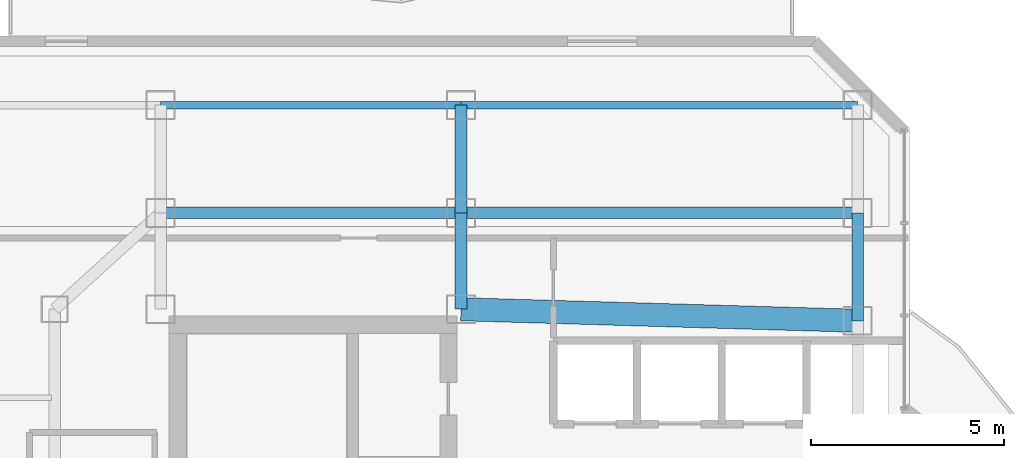
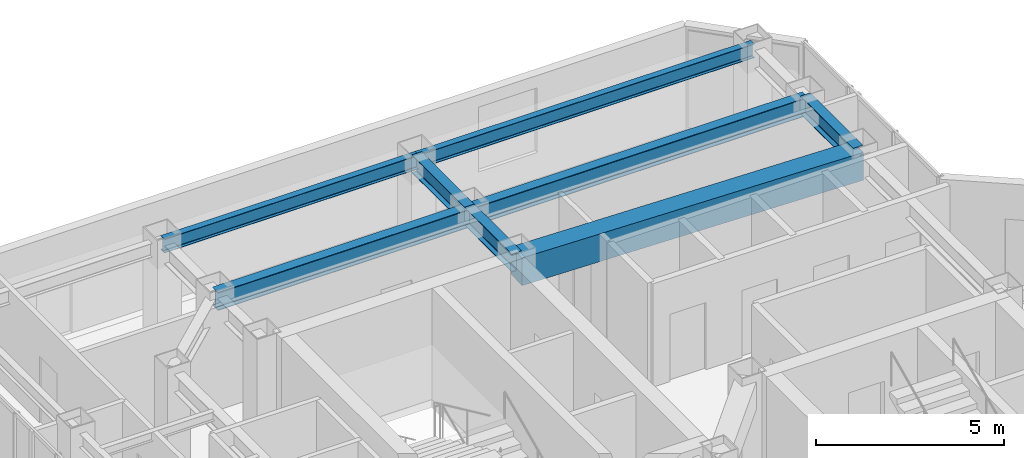
# One storey, part 16 of 24: 8 beams.
"""IFC4 building model written with IfcOpenShell, lengths in metres."""

from ifc_helpers import new_model, si_unit, direction, frame, origin, origin_2d, place, context, subcontext, project, spatial, rectangle, i_section, extrude, material, material_profile, profile_set, type_object, element, save


model = new_model("IFC4")

# Units and contexts
model_context = context("Model", 3, precision=1e-05, world=origin(), true_north=direction((0.0, 1.0)))
body_context = subcontext(model_context, "Body", "Model", "MODEL_VIEW")
ifc_project = project(units=[si_unit("LENGTHUNIT", "METRE"), si_unit("AREAUNIT", "SQUARE_METRE"), si_unit("VOLUMEUNIT", "CUBIC_METRE"), si_unit("PLANEANGLEUNIT", "RADIAN"), si_unit("MASSUNIT", "GRAM", prefix="KILO")], contexts=[model_context])

# Site, building, storey
site_placement = place(None, origin())
site = spatial("IfcSite", under=ifc_project, at=site_placement, CompositionType="ELEMENT")
building_placement = place(site_placement, origin())
building = spatial("IfcBuilding", under=site, at=building_placement, Name="Hatsunagi Terrace Concourse", CompositionType="ELEMENT")
storey_placement = place(building_placement, frame((0.0, 0.0, 213.14990234375)))
storey = spatial("IfcBuildingStorey", under=building, at=storey_placement, Name="L56", CompositionType="ELEMENT", Elevation=213.14990234375)

# Beams
ifc_material_1 = material(Name="Concrete Fc42", Category="concrete")
ifc_material_profile_1 = material_profile(ifc_material_1, rectangle(XDim=0.60009765625, YDim=0.89990234375, at=origin_2d()), Name="RC-600x900")
ifc_profile_set_1 = profile_set([ifc_material_profile_1], Name="Concrete Fc42")
beam_type_1 = type_object("IfcBeamType", Name="CoreCouplingBeam_RC_600x900", PredefinedType="BEAM", material=ifc_profile_set_1)
beam_1_placement = place(storey_placement, frame((33.35009765625, 43.300048828125, 2.900146484375), z_axis=(0.999575947545, -0.029119153303, 0.0), x_axis=(0.029119153303, 0.999575947545, 0.0)))
element("IfcBeam", 1, at=beam_1_placement, inside=storey, type_object=beam_type_1, Name="Beam CB-03 CB-L56-2", PredefinedType="BEAM", context=body_context, shape_type="SweptSolid", body=[
    extrude(rectangle(XDim=0.60009765625, YDim=0.89990234375, at=origin_2d()), origin(), (0.0, 0.0, 1.0), 10.30419921875),
])
ifc_material_2 = material(Name="Steel SN490B", Category="steel")
ifc_material_profile_2 = material_profile(ifc_material_2, i_section(OverallWidth=0.300048828125, OverallDepth=0.587890625, WebThickness=0.011962890625, FlangeThickness=0.02001953125, FilletRadius=0.01806640625, at=origin_2d()), Name="H-588x300x12x20")
ifc_profile_set_2 = profile_set([ifc_material_profile_2], Name="Steel SN490B")
beam_type_2 = type_object("IfcBeamType", Name="OfficeHighGirder_H_588x300", PredefinedType="BEAM", material=ifc_profile_set_2)
beam_2_placement = place(storey_placement, frame((33.35009765625, 43.300048828125, 3.05615234375), z_axis=(0.0, 1.0, 0.0), x_axis=(-1.0, 0.0, 0.0)))
element("IfcBeam", 2, at=beam_2_placement, inside=storey, type_object=beam_type_2, Name="Beam G-06 BM-L56-CN2", PredefinedType="BEAM", context=body_context, shape_type="SweptSolid", body=[
    extrude(i_section(OverallWidth=0.300048828125, OverallDepth=0.587890625, WebThickness=0.011962890625, FlangeThickness=0.02001953125, FilletRadius=0.01806640625, at=origin_2d()), origin(), (0.0, 0.0, 1.0), 2.5),
])
beam_3_placement = place(storey_placement, frame((43.64990234375, 43.0, 3.05615234375), z_axis=(0.0, 1.0, 0.0), x_axis=(-1.0, 0.0, 0.0)))
element("IfcBeam", 3, at=beam_3_placement, inside=storey, type_object=beam_type_2, Name="Beam G-06 BM-L56-CN3", PredefinedType="BEAM", context=body_context, shape_type="SweptSolid", body=[
    extrude(i_section(OverallWidth=0.300048828125, OverallDepth=0.587890625, WebThickness=0.011962890625, FlangeThickness=0.02001953125, FilletRadius=0.01806640625, at=origin_2d()), origin(), (0.0, 0.0, 1.0), 2.800048828125),
])
beam_4_placement = place(storey_placement, frame((25.550048828125, 45.800048828125, 3.05615234375), z_axis=(1.0, 0.0, 0.0), x_axis=(0.0, 1.0, 0.0)))
element("IfcBeam", 4, at=beam_4_placement, inside=storey, type_object=beam_type_2, Name="Beam G-06 BM-L56-CNEW1", PredefinedType="BEAM", context=body_context, shape_type="SweptSolid", body=[
    extrude(i_section(OverallWidth=0.300048828125, OverallDepth=0.587890625, WebThickness=0.011962890625, FlangeThickness=0.02001953125, FilletRadius=0.01806640625, at=origin_2d()), origin(), (0.0, 0.0, 1.0), 7.800048828125),
])
beam_5_placement = place(storey_placement, frame((33.35009765625, 45.800048828125, 3.05615234375), z_axis=(1.0, 0.0, 0.0), x_axis=(0.0, 1.0, 0.0)))
element("IfcBeam", 5, at=beam_5_placement, inside=storey, type_object=beam_type_2, Name="Beam G-06 BM-L56-CNEW2", PredefinedType="BEAM", context=body_context, shape_type="SweptSolid", body=[
    extrude(i_section(OverallWidth=0.300048828125, OverallDepth=0.587890625, WebThickness=0.011962890625, FlangeThickness=0.02001953125, FilletRadius=0.01806640625, at=origin_2d()), origin(), (0.0, 0.0, 1.0), 10.2998046875),
])
beam_6_placement = place(storey_placement, frame((33.35009765625, 45.800048828125, 3.05615234375), z_axis=(0.0, 1.0, 0.0), x_axis=(-1.0, 0.0, 0.0)))
element("IfcBeam", 6, at=beam_6_placement, inside=storey, type_object=beam_type_2, Name="Beam G-06 BM-L56-KN-WN5", PredefinedType="BEAM", context=body_context, shape_type="SweptSolid", body=[
    extrude(i_section(OverallWidth=0.300048828125, OverallDepth=0.587890625, WebThickness=0.011962890625, FlangeThickness=0.02001953125, FilletRadius=0.01806640625, at=origin_2d()), origin(), (0.0, 0.0, 1.0), 2.800048828125),
])
ifc_material_3 = material(Name="Steel SN490B", Category="steel")
ifc_material_profile_3 = material_profile(ifc_material_3, i_section(OverallWidth=0.199951171875, OverallDepth=0.449951171875, WebThickness=0.009033203125, FlangeThickness=0.013916015625, FilletRadius=0.01611328125, at=origin_2d()), Name="H-450x200x9x14")
ifc_profile_set_3 = profile_set([ifc_material_profile_3], Name="Steel SN490B")
beam_type_3 = type_object("IfcBeamType", Name="PerimeterSpandrel_H_450x200", PredefinedType="SPANDREL", material=ifc_profile_set_3)
beam_7_placement = place(storey_placement, frame((25.550048828125, 48.60009765625, 3.125), z_axis=(1.0, 0.0, 0.0), x_axis=(0.0, 1.0, 0.0)))
element("IfcBeam", 7, at=beam_7_placement, inside=storey, type_object=beam_type_3, Name="Beam SP-02 BM-L56-WN-25", PredefinedType="SPANDREL", context=body_context, shape_type="SweptSolid", body=[
    extrude(i_section(OverallWidth=0.199951171875, OverallDepth=0.449951171875, WebThickness=0.009033203125, FlangeThickness=0.013916015625, FilletRadius=0.01611328125, at=origin_2d()), origin(), (0.0, 0.0, 1.0), 7.800048828125),
])
beam_8_placement = place(storey_placement, frame((33.35009765625, 48.60009765625, 3.125), z_axis=(1.0, 0.0, 0.0), x_axis=(0.0, 1.0, 0.0)))
element("IfcBeam", 8, at=beam_8_placement, inside=storey, type_object=beam_type_3, Name="Beam SP-02 BM-L56-WN-33", PredefinedType="SPANDREL", context=body_context, shape_type="SweptSolid", body=[
    extrude(i_section(OverallWidth=0.199951171875, OverallDepth=0.449951171875, WebThickness=0.009033203125, FlangeThickness=0.013916015625, FilletRadius=0.01611328125, at=origin_2d()), origin(), (0.0, 0.0, 1.0), 10.2998046875),
])

save(model, "model.ifc")
